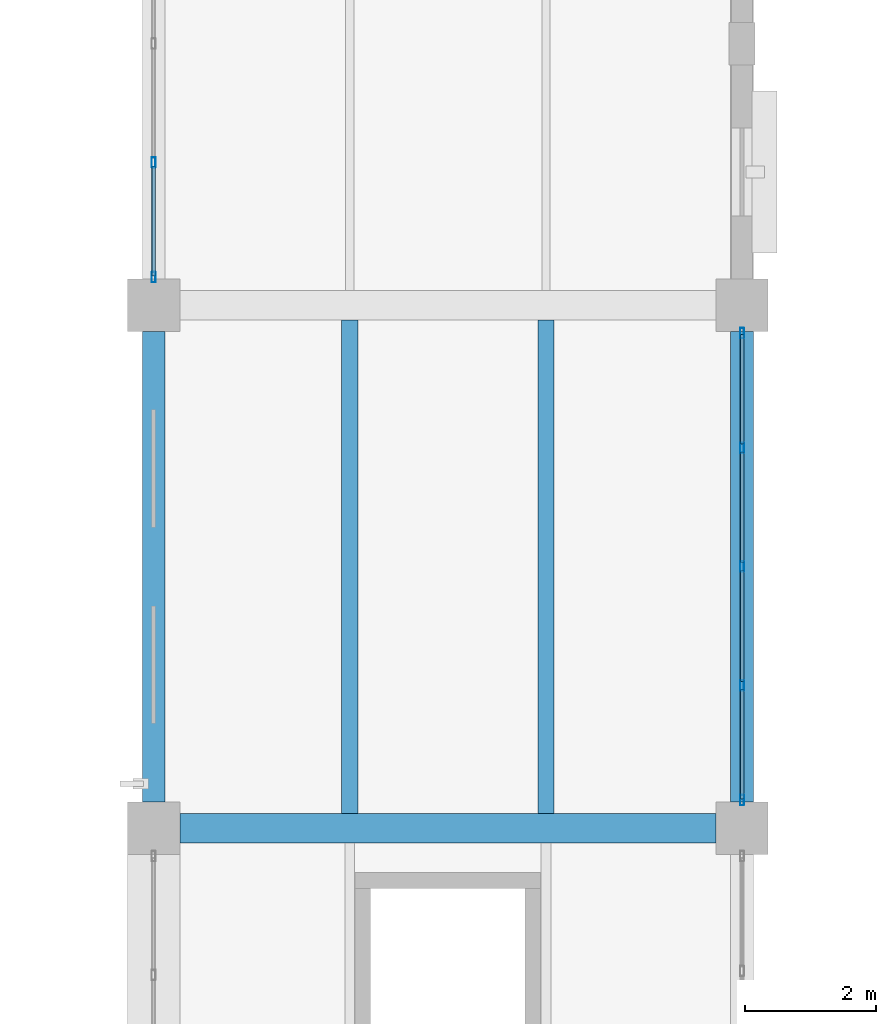
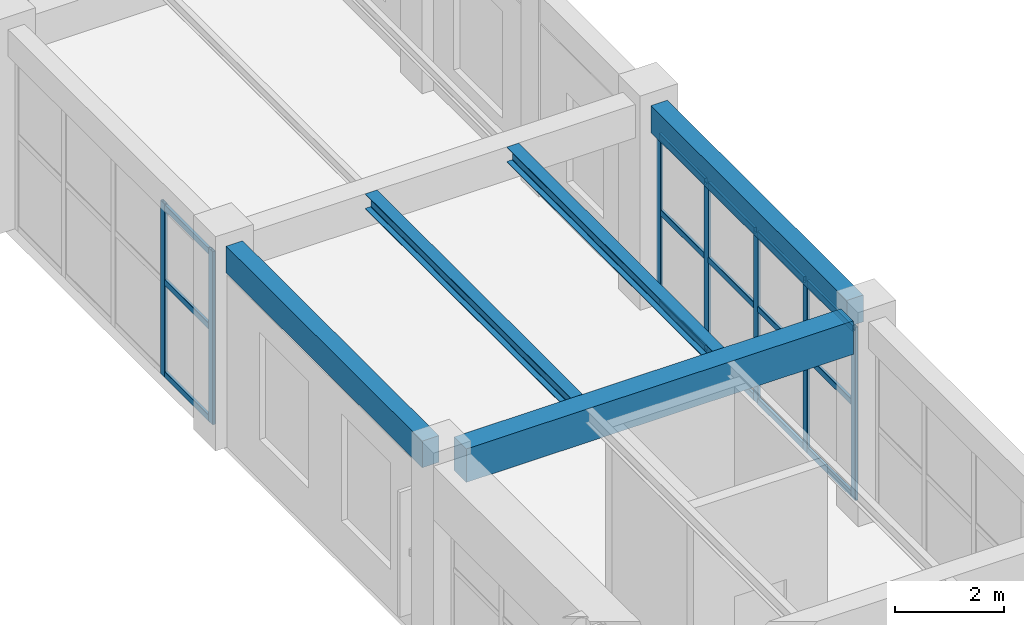
# One storey, part 101 of 178: 22 members, 5 beams, 2 elements without a shape of their own.
"""IFC4 building model written with IfcOpenShell, lengths in metres."""

from ifc_helpers import new_model, si_unit, derived_unit, direction, frame, origin, origin_2d, place, context, subcontext, project, spatial, rectangle, hollow_rectangle, i_section, extrude, material, material_profile, profile_set, type_object, element, aggregate, save


model = new_model("IFC4")

# Units and contexts
model_context = context("Model", 3, precision=1e-05, world=origin(), true_north=direction((0.0, 1.0)))
body_context = subcontext(model_context, "Body", "Model", "MODEL_VIEW")
ifc_project = project(units=[si_unit("LENGTHUNIT", "METRE"), si_unit("AREAUNIT", "SQUARE_METRE"), si_unit("VOLUMEUNIT", "CUBIC_METRE"), si_unit("PLANEANGLEUNIT", "RADIAN"), si_unit("MASSUNIT", "GRAM", prefix="KILO"), derived_unit("THERMALTRANSMITTANCEUNIT", [(si_unit("MASSUNIT", "GRAM", prefix="KILO"), 1), (si_unit("TIMEUNIT", "SECOND"), -3), (si_unit("THERMODYNAMICTEMPERATUREUNIT", "KELVIN"), -1)])], contexts=[model_context])

# Site, building, storey
site_placement = place(None, origin())
site = spatial("IfcSite", under=ifc_project, at=site_placement, CompositionType="ELEMENT")
building_placement = place(site_placement, origin())
building = spatial("IfcBuilding", under=site, at=building_placement, Name="Zhenchuan Archway Interchange", CompositionType="ELEMENT")
storey_placement = place(building_placement, frame((0.0, 0.0, 5.39990234375)))
storey = spatial("IfcBuildingStorey", under=building, at=storey_placement, Name="L01", CompositionType="ELEMENT", Elevation=5.39990234375)

# Beam
ifc_material_1 = material(Name="Concrete C40", Category="concrete")
ifc_material_profile_1 = material_profile(ifc_material_1, rectangle(XDim=0.449951171875, YDim=0.75, at=origin_2d()), Name="RC 450x750")
ifc_profile_set_1 = profile_set([ifc_material_profile_1], Name="Concrete C40")
beam_type_1 = type_object("IfcBeamType", Name="BM_RC_450x750", PredefinedType="BEAM", material=ifc_profile_set_1)
beam_placement = place(storey_placement, frame((99.39990234375, 64.0, 4.135009765625), z_axis=(1.0, 0.0, 0.0), x_axis=(0.0, 1.0, 0.0)))
element("IfcBeam", 1, at=beam_placement, inside=storey, type_object=beam_type_1, Name="Beam J:12-13 (L01)", PredefinedType="BEAM", context=body_context, shape_type="SweptSolid", body=[
    extrude(rectangle(XDim=0.449951171875, YDim=0.75, at=origin_2d()), origin(), (0.0, 0.0, 1.0), 8.2001953125),
])

# Curtain wall, members
ifc_material_2 = material(Name="Anodised Aluminium", Category="aluminium")
curtain_wall_type_1 = type_object("IfcCurtainWallType", Name="CW_UNIT_4", PredefinedType="NOTDEFINED", material=ifc_material_2)
curtain_wall_1_placement = place(storey_placement, origin())
curtain_wall_1 = element("IfcCurtainWall", 2, at=curtain_wall_1_placement, inside=storey, type_object=curtain_wall_type_1, Name="Unitised curtain wall CW:L01:059", PredefinedType="NOTDEFINED")
ifc_material_profile_2 = material_profile(ifc_material_2, hollow_rectangle(XDim=0.06005859375, YDim=0.159912109375, WallThickness=0.00390625, InnerFilletRadius=0.00390625, OuterFilletRadius=0.008056640625, at=origin_2d()), Name="ALU 160x60x4")
ifc_profile_set_2 = profile_set([ifc_material_profile_2], Name="Anodised Aluminium")
member_type_1 = type_object("IfcMemberType", Name="CW_MUL_150", PredefinedType="MULLION", material=ifc_profile_set_2)
member_1_placement = place(storey_placement, frame((99.0, 72.427978515625, 0.0), z_axis=(0.0, 0.0, 1.0), x_axis=(1.0, 0.0, 0.0)))
member_1 = element("IfcMember", 3, at=member_1_placement, type_object=member_type_1, Name="CW:L01:059 mullion 0", PredefinedType="MULLION", context=body_context, shape_type="SweptSolid", body=[
    extrude(hollow_rectangle(XDim=0.06005859375, YDim=0.159912109375, WallThickness=0.00390625, InnerFilletRadius=0.00390625, OuterFilletRadius=0.008056640625, at=origin_2d()), origin(), (0.0, 0.0, 1.0), 3.880126953125),
])
member_2_placement = place(storey_placement, frame((99.0, 74.18408203125, 0.0), z_axis=(0.0, 0.0, 1.0), x_axis=(1.0, 0.0, 0.0)))
member_2 = element("IfcMember", 4, at=member_2_placement, type_object=member_type_1, Name="CW:L01:059 mullion 1", PredefinedType="MULLION", context=body_context, shape_type="SweptSolid", body=[
    extrude(hollow_rectangle(XDim=0.06005859375, YDim=0.159912109375, WallThickness=0.00390625, InnerFilletRadius=0.00390625, OuterFilletRadius=0.008056640625, at=origin_2d()), origin(), (0.0, 0.0, 1.0), 3.880126953125),
])

curtain_wall_type_2 = type_object("IfcCurtainWallType", Name="CW_UNIT_3", PredefinedType="NOTDEFINED", material=ifc_material_2)
curtain_wall_2_placement = place(storey_placement, origin())
curtain_wall_2 = element("IfcCurtainWall", 5, at=curtain_wall_2_placement, inside=storey, type_object=curtain_wall_type_2, Name="Unitised curtain wall CW:L01:098", PredefinedType="NOTDEFINED")
member_3_placement = place(storey_placement, frame((108.0, 71.572021484375, 0.0), z_axis=(0.0, 0.0, 1.0), x_axis=(1.0, 0.0, 0.0)))
member_3 = element("IfcMember", 6, at=member_3_placement, type_object=member_type_1, Name="CW:L01:098 mullion 0", PredefinedType="MULLION", context=body_context, shape_type="SweptSolid", body=[
    extrude(hollow_rectangle(XDim=0.06005859375, YDim=0.159912109375, WallThickness=0.00390625, InnerFilletRadius=0.00390625, OuterFilletRadius=0.008056640625, at=origin_2d()), origin(), (0.0, 0.0, 1.0), 3.880126953125),
])
member_4_placement = place(storey_placement, frame((108.0, 69.81591796875, 0.0), z_axis=(0.0, 0.0, 1.0), x_axis=(1.0, 0.0, 0.0)))
member_4 = element("IfcMember", 7, at=member_4_placement, type_object=member_type_1, Name="CW:L01:098 mullion 1", PredefinedType="MULLION", context=body_context, shape_type="SweptSolid", body=[
    extrude(hollow_rectangle(XDim=0.06005859375, YDim=0.159912109375, WallThickness=0.00390625, InnerFilletRadius=0.00390625, OuterFilletRadius=0.008056640625, at=origin_2d()), origin(), (0.0, 0.0, 1.0), 3.880126953125),
])
member_5_placement = place(storey_placement, frame((108.0, 68.0, 0.0), z_axis=(0.0, 0.0, 1.0), x_axis=(1.0, 0.0, 0.0)))
member_5 = element("IfcMember", 8, at=member_5_placement, type_object=member_type_1, Name="CW:L01:098 mullion 2", PredefinedType="MULLION", context=body_context, shape_type="SweptSolid", body=[
    extrude(hollow_rectangle(XDim=0.06005859375, YDim=0.159912109375, WallThickness=0.00390625, InnerFilletRadius=0.00390625, OuterFilletRadius=0.008056640625, at=origin_2d()), origin(), (0.0, 0.0, 1.0), 3.880126953125),
])
member_6_placement = place(storey_placement, frame((108.0, 66.18408203125, 0.0), z_axis=(0.0, 0.0, 1.0), x_axis=(1.0, 0.0, 0.0)))
member_6 = element("IfcMember", 9, at=member_6_placement, type_object=member_type_1, Name="CW:L01:098 mullion 3", PredefinedType="MULLION", context=body_context, shape_type="SweptSolid", body=[
    extrude(hollow_rectangle(XDim=0.06005859375, YDim=0.159912109375, WallThickness=0.00390625, InnerFilletRadius=0.00390625, OuterFilletRadius=0.008056640625, at=origin_2d()), origin(), (0.0, 0.0, 1.0), 3.880126953125),
])
member_7_placement = place(storey_placement, frame((108.0, 64.427978515625, 0.0), z_axis=(0.0, 0.0, 1.0), x_axis=(1.0, 0.0, 0.0)))
member_7 = element("IfcMember", 10, at=member_7_placement, type_object=member_type_1, Name="CW:L01:098 mullion 4", PredefinedType="MULLION", context=body_context, shape_type="SweptSolid", body=[
    extrude(hollow_rectangle(XDim=0.06005859375, YDim=0.159912109375, WallThickness=0.00390625, InnerFilletRadius=0.00390625, OuterFilletRadius=0.008056640625, at=origin_2d()), origin(), (0.0, 0.0, 1.0), 3.880126953125),
])

# Member
ifc_material_profile_3 = material_profile(ifc_material_2, hollow_rectangle(XDim=0.06005859375, YDim=0.139892578125, WallThickness=0.00341796875, InnerFilletRadius=0.00341796875, OuterFilletRadius=0.007080078125, at=origin_2d()), Name="ALU 140x60x3.5")
ifc_profile_set_3 = profile_set([ifc_material_profile_3], Name="Anodised Aluminium")
member_type_2 = type_object("IfcMemberType", Name="CW_TRN_140", PredefinedType="USERDEFINED", material=ifc_profile_set_3)
member_8_placement = place(storey_placement, frame((99.0, 72.447998046875, 0.06005859375), z_axis=(0.0, 1.0, 0.0), x_axis=(-1.0, 0.0, 0.0)))
member_8 = element("IfcMember", 11, at=member_8_placement, type_object=member_type_2, Name="CW:L01:059 transom 0-1", ObjectType="TRANSOM", PredefinedType="USERDEFINED", context=body_context, shape_type="SweptSolid", body=[
    extrude(hollow_rectangle(XDim=0.06005859375, YDim=0.139892578125, WallThickness=0.00341796875, InnerFilletRadius=0.00341796875, OuterFilletRadius=0.007080078125, at=origin_2d()), origin(), (0.0, 0.0, 1.0), 1.676025390625),
])

member_9_placement = place(storey_placement, frame((99.0, 72.447998046875, 2.123046875), z_axis=(0.0, 1.0, 0.0), x_axis=(-1.0, 0.0, 0.0)))
member_9 = element("IfcMember", 12, at=member_9_placement, type_object=member_type_2, Name="CW:L01:059 transom 0-2", ObjectType="TRANSOM", PredefinedType="USERDEFINED", context=body_context, shape_type="SweptSolid", body=[
    extrude(hollow_rectangle(XDim=0.06005859375, YDim=0.139892578125, WallThickness=0.00341796875, InnerFilletRadius=0.00341796875, OuterFilletRadius=0.007080078125, at=origin_2d()), origin(), (0.0, 0.0, 1.0), 1.676025390625),
])

member_10_placement = place(storey_placement, frame((99.0, 72.447998046875, 3.800048828125), z_axis=(0.0, 1.0, 0.0), x_axis=(-1.0, 0.0, 0.0)))
member_10 = element("IfcMember", 13, at=member_10_placement, type_object=member_type_2, Name="CW:L01:059 transom 0-3", ObjectType="TRANSOM", PredefinedType="USERDEFINED", context=body_context, shape_type="SweptSolid", body=[
    extrude(hollow_rectangle(XDim=0.06005859375, YDim=0.139892578125, WallThickness=0.00341796875, InnerFilletRadius=0.00341796875, OuterFilletRadius=0.007080078125, at=origin_2d()), origin(), (0.0, 0.0, 1.0), 1.676025390625),
])

aggregate(curtain_wall_1, [member_1, member_2, member_8, member_9, member_10])

member_11_placement = place(storey_placement, frame((108.0, 71.552001953125, 0.06005859375), z_axis=(0.0, -1.0, 0.0), x_axis=(1.0, 0.0, 0.0)))
member_11 = element("IfcMember", 14, at=member_11_placement, type_object=member_type_2, Name="CW:L01:098 transom 0-1", ObjectType="TRANSOM", PredefinedType="USERDEFINED", context=body_context, shape_type="SweptSolid", body=[
    extrude(hollow_rectangle(XDim=0.06005859375, YDim=0.139892578125, WallThickness=0.00341796875, InnerFilletRadius=0.00341796875, OuterFilletRadius=0.007080078125, at=origin_2d()), origin(), (0.0, 0.0, 1.0), 1.676025390625),
])

member_12_placement = place(storey_placement, frame((108.0, 71.552001953125, 2.123046875), z_axis=(0.0, -1.0, 0.0), x_axis=(1.0, 0.0, 0.0)))
member_12 = element("IfcMember", 15, at=member_12_placement, type_object=member_type_2, Name="CW:L01:098 transom 0-2", ObjectType="TRANSOM", PredefinedType="USERDEFINED", context=body_context, shape_type="SweptSolid", body=[
    extrude(hollow_rectangle(XDim=0.06005859375, YDim=0.139892578125, WallThickness=0.00341796875, InnerFilletRadius=0.00341796875, OuterFilletRadius=0.007080078125, at=origin_2d()), origin(), (0.0, 0.0, 1.0), 1.676025390625),
])

member_13_placement = place(storey_placement, frame((108.0, 71.552001953125, 3.800048828125), z_axis=(0.0, -1.0, 0.0), x_axis=(1.0, 0.0, 0.0)))
member_13 = element("IfcMember", 16, at=member_13_placement, type_object=member_type_2, Name="CW:L01:098 transom 0-3", ObjectType="TRANSOM", PredefinedType="USERDEFINED", context=body_context, shape_type="SweptSolid", body=[
    extrude(hollow_rectangle(XDim=0.06005859375, YDim=0.139892578125, WallThickness=0.00341796875, InnerFilletRadius=0.00341796875, OuterFilletRadius=0.007080078125, at=origin_2d()), origin(), (0.0, 0.0, 1.0), 1.676025390625),
])

member_14_placement = place(storey_placement, frame((108.0, 69.756103515625, 0.06005859375), z_axis=(0.0, -1.0, 0.0), x_axis=(1.0, 0.0, 0.0)))
member_14 = element("IfcMember", 17, at=member_14_placement, type_object=member_type_2, Name="CW:L01:098 transom 1-1", ObjectType="TRANSOM", PredefinedType="USERDEFINED", context=body_context, shape_type="SweptSolid", body=[
    extrude(hollow_rectangle(XDim=0.06005859375, YDim=0.139892578125, WallThickness=0.00341796875, InnerFilletRadius=0.00341796875, OuterFilletRadius=0.007080078125, at=origin_2d()), origin(), (0.0, 0.0, 1.0), 1.696044921875),
])

member_15_placement = place(storey_placement, frame((108.0, 69.756103515625, 2.123046875), z_axis=(0.0, -1.0, 0.0), x_axis=(1.0, 0.0, 0.0)))
member_15 = element("IfcMember", 18, at=member_15_placement, type_object=member_type_2, Name="CW:L01:098 transom 1-2", ObjectType="TRANSOM", PredefinedType="USERDEFINED", context=body_context, shape_type="SweptSolid", body=[
    extrude(hollow_rectangle(XDim=0.06005859375, YDim=0.139892578125, WallThickness=0.00341796875, InnerFilletRadius=0.00341796875, OuterFilletRadius=0.007080078125, at=origin_2d()), origin(), (0.0, 0.0, 1.0), 1.696044921875),
])

member_16_placement = place(storey_placement, frame((108.0, 69.756103515625, 3.800048828125), z_axis=(0.0, -1.0, 0.0), x_axis=(1.0, 0.0, 0.0)))
member_16 = element("IfcMember", 19, at=member_16_placement, type_object=member_type_2, Name="CW:L01:098 transom 1-3", ObjectType="TRANSOM", PredefinedType="USERDEFINED", context=body_context, shape_type="SweptSolid", body=[
    extrude(hollow_rectangle(XDim=0.06005859375, YDim=0.139892578125, WallThickness=0.00341796875, InnerFilletRadius=0.00341796875, OuterFilletRadius=0.007080078125, at=origin_2d()), origin(), (0.0, 0.0, 1.0), 1.696044921875),
])

member_17_placement = place(storey_placement, frame((108.0, 67.93994140625, 0.06005859375), z_axis=(0.0, -1.0, 0.0), x_axis=(1.0, 0.0, 0.0)))
member_17 = element("IfcMember", 20, at=member_17_placement, type_object=member_type_2, Name="CW:L01:098 transom 2-1", ObjectType="TRANSOM", PredefinedType="USERDEFINED", context=body_context, shape_type="SweptSolid", body=[
    extrude(hollow_rectangle(XDim=0.06005859375, YDim=0.139892578125, WallThickness=0.00341796875, InnerFilletRadius=0.00341796875, OuterFilletRadius=0.007080078125, at=origin_2d()), origin(), (0.0, 0.0, 1.0), 1.696044921875),
])

member_18_placement = place(storey_placement, frame((108.0, 67.93994140625, 2.123046875), z_axis=(0.0, -1.0, 0.0), x_axis=(1.0, 0.0, 0.0)))
member_18 = element("IfcMember", 21, at=member_18_placement, type_object=member_type_2, Name="CW:L01:098 transom 2-2", ObjectType="TRANSOM", PredefinedType="USERDEFINED", context=body_context, shape_type="SweptSolid", body=[
    extrude(hollow_rectangle(XDim=0.06005859375, YDim=0.139892578125, WallThickness=0.00341796875, InnerFilletRadius=0.00341796875, OuterFilletRadius=0.007080078125, at=origin_2d()), origin(), (0.0, 0.0, 1.0), 1.696044921875),
])

member_19_placement = place(storey_placement, frame((108.0, 67.93994140625, 3.800048828125), z_axis=(0.0, -1.0, 0.0), x_axis=(1.0, 0.0, 0.0)))
member_19 = element("IfcMember", 22, at=member_19_placement, type_object=member_type_2, Name="CW:L01:098 transom 2-3", ObjectType="TRANSOM", PredefinedType="USERDEFINED", context=body_context, shape_type="SweptSolid", body=[
    extrude(hollow_rectangle(XDim=0.06005859375, YDim=0.139892578125, WallThickness=0.00341796875, InnerFilletRadius=0.00341796875, OuterFilletRadius=0.007080078125, at=origin_2d()), origin(), (0.0, 0.0, 1.0), 1.696044921875),
])

member_20_placement = place(storey_placement, frame((108.0, 66.1240234375, 0.06005859375), z_axis=(0.0, -1.0, 0.0), x_axis=(1.0, 0.0, 0.0)))
member_20 = element("IfcMember", 23, at=member_20_placement, type_object=member_type_2, Name="CW:L01:098 transom 3-1", ObjectType="TRANSOM", PredefinedType="USERDEFINED", context=body_context, shape_type="SweptSolid", body=[
    extrude(hollow_rectangle(XDim=0.06005859375, YDim=0.139892578125, WallThickness=0.00341796875, InnerFilletRadius=0.00341796875, OuterFilletRadius=0.007080078125, at=origin_2d()), origin(), (0.0, 0.0, 1.0), 1.676025390625),
])

member_21_placement = place(storey_placement, frame((108.0, 66.1240234375, 2.123046875), z_axis=(0.0, -1.0, 0.0), x_axis=(1.0, 0.0, 0.0)))
member_21 = element("IfcMember", 24, at=member_21_placement, type_object=member_type_2, Name="CW:L01:098 transom 3-2", ObjectType="TRANSOM", PredefinedType="USERDEFINED", context=body_context, shape_type="SweptSolid", body=[
    extrude(hollow_rectangle(XDim=0.06005859375, YDim=0.139892578125, WallThickness=0.00341796875, InnerFilletRadius=0.00341796875, OuterFilletRadius=0.007080078125, at=origin_2d()), origin(), (0.0, 0.0, 1.0), 1.676025390625),
])

member_22_placement = place(storey_placement, frame((108.0, 66.1240234375, 3.800048828125), z_axis=(0.0, -1.0, 0.0), x_axis=(1.0, 0.0, 0.0)))
member_22 = element("IfcMember", 25, at=member_22_placement, type_object=member_type_2, Name="CW:L01:098 transom 3-3", ObjectType="TRANSOM", PredefinedType="USERDEFINED", context=body_context, shape_type="SweptSolid", body=[
    extrude(hollow_rectangle(XDim=0.06005859375, YDim=0.139892578125, WallThickness=0.00341796875, InnerFilletRadius=0.00341796875, OuterFilletRadius=0.007080078125, at=origin_2d()), origin(), (0.0, 0.0, 1.0), 1.676025390625),
])

aggregate(curtain_wall_2, [member_3, member_4, member_5, member_6, member_7, member_11, member_12, member_13, member_14, member_15, member_16, member_17, member_18, member_19, member_20, member_21, member_22])

# Beams
ifc_material_3 = material(Name="Steel Q355", Category="steel")
ifc_material_profile_4 = material_profile(ifc_material_3, i_section(OverallWidth=0.25, OverallDepth=0.340087890625, WebThickness=0.009033203125, FlangeThickness=0.013916015625, FilletRadius=0.01806640625, at=origin_2d()), Name="HM 340x250")
ifc_profile_set_4 = profile_set([ifc_material_profile_4], Name="Steel Q355")
beam_type_2 = type_object("IfcBeamType", Name="JST_STL_HM340", PredefinedType="JOIST", material=ifc_profile_set_4)
for number, where, z_axis, x_axis, name in (
    (26, (102.0, 64.22509765625, 4.340087890625), (0.0, 1.0, 0.0), (-1.0, 0.0, 0.0), "Secondary joist 12-13/J-K #1 (L01)"),
    (27, (105.0, 64.22509765625, 4.340087890625), (0.0, 1.0, 0.0), (-1.0, 0.0, 0.0), "Secondary joist 12-13/J-K #2 (L01)"),
):
    element("IfcBeam", number, at=place(storey_placement, frame(where, z_axis=z_axis, x_axis=x_axis)), inside=storey, type_object=beam_type_2, Name=name, PredefinedType="JOIST", context=body_context, shape_type="SweptSolid", body=[
        extrude(i_section(OverallWidth=0.25, OverallDepth=0.340087890625, WebThickness=0.009033203125, FlangeThickness=0.013916015625, FilletRadius=0.01806640625, at=origin_2d()), origin(), (0.0, 0.0, 1.0), 7.5498046875),
    ])
ifc_material_profile_5 = material_profile(ifc_material_1, rectangle(XDim=0.35009765625, YDim=0.60009765625, at=origin_2d()), Name="RC 350x600")
ifc_profile_set_5 = profile_set([ifc_material_profile_5], Name="Concrete C40")
beam_type_3 = type_object("IfcBeamType", Name="SP_RC_350x600", PredefinedType="SPANDREL", material=ifc_profile_set_5)
for number, where, z_axis, x_axis, name in (
    (28, (99.0, 64.39990234375, 4.210205078125), (0.0, 1.0, 0.0), (-1.0, 0.0, 0.0), "Beam 12:J-K (L01)"),
    (29, (108.0, 64.39990234375, 4.210205078125), (0.0, 1.0, 0.0), (-1.0, 0.0, 0.0), "Beam 13:J-K (L01)"),
):
    element("IfcBeam", number, at=place(storey_placement, frame(where, z_axis=z_axis, x_axis=x_axis)), inside=storey, type_object=beam_type_3, Name=name, PredefinedType="SPANDREL", context=body_context, shape_type="SweptSolid", body=[
        extrude(rectangle(XDim=0.35009765625, YDim=0.60009765625, at=origin_2d()), origin(), (0.0, 0.0, 1.0), 7.2001953125),
    ])

save(model, "model.ifc")
